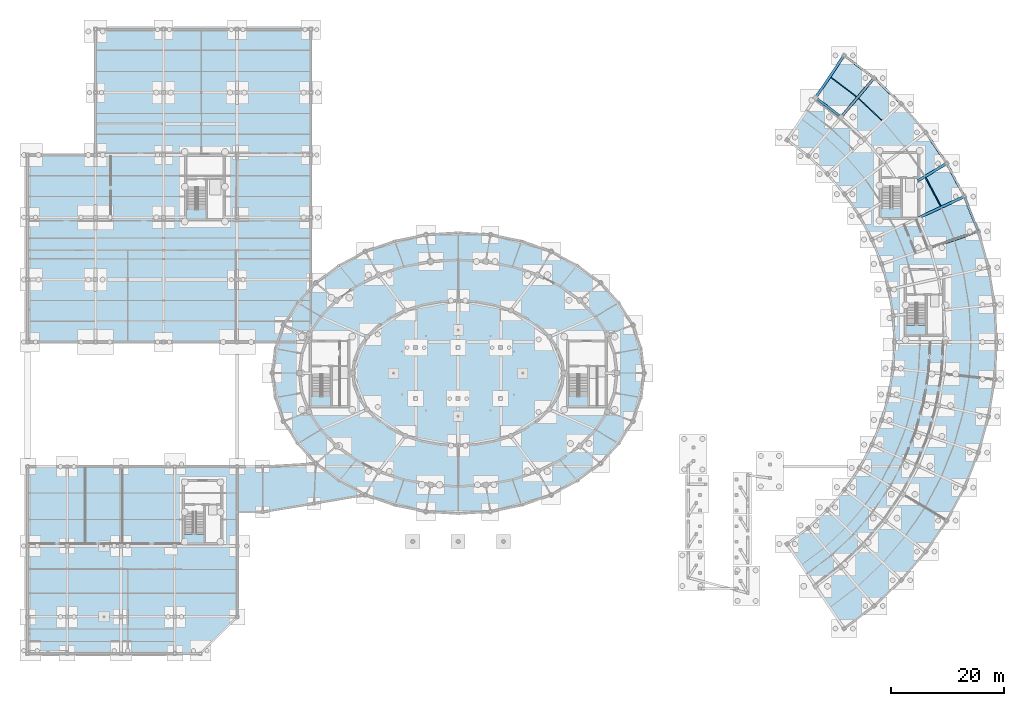
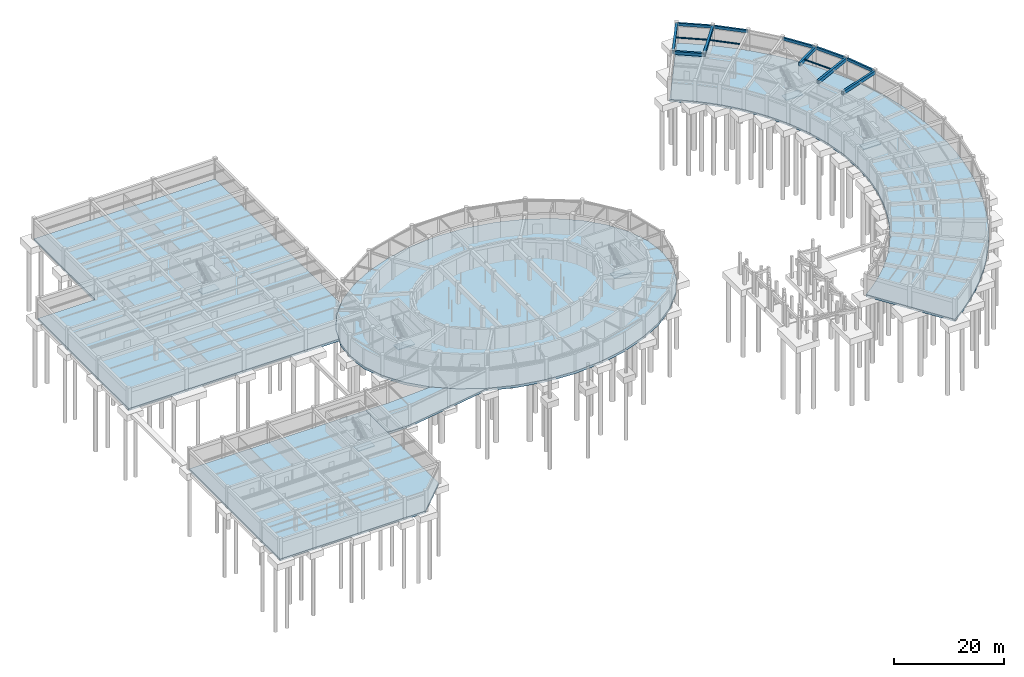
# One storey, part 17 of 42: 14 beams, 11 slabs, 6 elements without a shape of their own.
"""IFC4 building model written with IfcOpenShell, lengths in metres."""

from ifc_helpers import new_model, si_unit, direction, frame, origin, origin_2d, place, context, subcontext, project, spatial, polyline, rectangle, i_section, outline, extrude, material, layer, layer_set, material_profile, profile_set, type_object, element, aggregate, save


model = new_model("IFC4")

# Units and contexts
model_context = context("Model", 3, precision=1e-05, world=origin(), true_north=direction((0.0, 1.0)))
body_context = subcontext(model_context, "Body", "Model", "MODEL_VIEW")
ifc_project = project(units=[si_unit("LENGTHUNIT", "METRE"), si_unit("AREAUNIT", "SQUARE_METRE"), si_unit("VOLUMEUNIT", "CUBIC_METRE"), si_unit("PLANEANGLEUNIT", "RADIAN"), si_unit("MASSUNIT", "GRAM", prefix="KILO")], contexts=[model_context])

# Site, building, storey
site_placement = place(None, origin())
site = spatial("IfcSite", under=ifc_project, at=site_placement, CompositionType="ELEMENT")
building_placement = place(site_placement, origin())
building = spatial("IfcBuilding", under=site, at=building_placement, Name="Tarnveldt Headland Concert Hall", CompositionType="ELEMENT")
storey_placement = place(building_placement, frame((0.0, 0.0, -4.800048828125)))
storey = spatial("IfcBuildingStorey", under=building, at=storey_placement, Name="B1", CompositionType="ELEMENT", Elevation=-4.800048828125)

# Beams
ifc_material_1 = material(Name="Concrete C40/50", Category="concrete")
ifc_material_profile_1 = material_profile(ifc_material_1, rectangle(XDim=0.39990234375, YDim=0.64990234375, at=origin_2d()), Name="RC 400x650", Category="concrete")
ifc_profile_set_1 = profile_set([ifc_material_profile_1], Name="Concrete C40/50")
beam_type_1 = type_object("IfcBeamType", Name="CB-400x650", PredefinedType="BEAM", material=ifc_profile_set_1)
beam_1_placement = place(storey_placement, frame((151.031494140625, 99.740478515625, 4.175048828125), z_axis=(-0.79747936857, 0.603346216285, 0.0), x_axis=(-0.603346216285, -0.79747936857, 0.0)))
element("IfcBeam", 1, at=beam_1_placement, inside=storey, type_object=beam_type_1, Name="Framing beam B1-204", PredefinedType="BEAM", context=body_context, shape_type="SweptSolid", body=[
    extrude(rectangle(XDim=0.39990234375, YDim=0.64990234375, at=origin_2d()), origin(), (0.0, 0.0, 1.0), 5.524658203125),
])
ifc_material_profile_2 = material_profile(ifc_material_1, rectangle(XDim=0.449951171875, YDim=0.75, at=origin_2d()), Name="RC 450x750", Category="concrete")
ifc_profile_set_2 = profile_set([ifc_material_profile_2], Name="Concrete C40/50")
beam_type_2 = type_object("IfcBeamType", Name="CB-450x750", PredefinedType="BEAM", material=ifc_profile_set_2)
for number, where, z_axis, x_axis, name in (
    (2, (166.8212890625, 76.662353515625, 4.125), (0.947394358085, 0.320068633686, 0.0), (-0.320068633686, 0.947394358085, 0.0), "Framing beam B1-168"),
    (3, (164.724853515625, 81.909912109375, 4.125), (0.907125568287, 0.420860075749, 0.0), (-0.420860075749, 0.907125568287, 0.0), "Framing beam B1-175"),
):
    element("IfcBeam", number, at=place(storey_placement, frame(where, z_axis=z_axis, x_axis=x_axis)), inside=storey, type_object=beam_type_2, Name=name, PredefinedType="BEAM", context=body_context, shape_type="SweptSolid", body=[
        extrude(rectangle(XDim=0.449951171875, YDim=0.75, at=origin_2d()), origin(), (0.0, 0.0, 1.0), 8.880126953125),
    ])
beam_2_placement = place(storey_placement, frame((164.6201171875, 88.43701171875, 4.125), z_axis=(0.856147288877, 0.516731864461, 0.0), x_axis=(-0.516731864461, 0.856147288877, 0.0)))
element("IfcBeam", 4, at=beam_2_placement, inside=storey, type_object=beam_type_2, Name="Framing beam B1-181", PredefinedType="BEAM", context=body_context, shape_type="SweptSolid", body=[
    extrude(rectangle(XDim=0.449951171875, YDim=0.75, at=origin_2d()), origin(), (0.0, 0.0, 1.0), 5.904052734375),
])
beam_3_placement = place(storey_placement, frame((151.117919921875, 99.750244140625, 4.125), z_axis=(0.645759819996, 0.763540604604, 0.0), x_axis=(-0.763540604604, 0.645759819996, 0.0)))
element("IfcBeam", 5, at=beam_3_placement, inside=storey, type_object=beam_type_2, Name="Framing beam B1-202", PredefinedType="BEAM", context=body_context, shape_type="SweptSolid", body=[
    extrude(rectangle(XDim=0.449951171875, YDim=0.75, at=origin_2d()), origin(), (0.0, 0.0, 1.0), 8.880126953125),
])
beam_4_placement = place(storey_placement, frame((146.611572265625, 103.15966796875, 4.125), z_axis=(0.5591904504, 0.829039227167, 0.0), x_axis=(-0.829039227167, 0.5591904504, 0.0)))
element("IfcBeam", 6, at=beam_4_placement, inside=storey, type_object=beam_type_2, Name="Framing beam B1-209", PredefinedType="BEAM", context=body_context, shape_type="SweptSolid", body=[
    extrude(rectangle(XDim=0.449951171875, YDim=0.75, at=origin_2d()), origin(), (0.0, 0.0, 1.0), 8.8798828125),
])
ifc_material_2 = material(Name="Steel S355", Category="steel")
ifc_material_profile_3 = material_profile(ifc_material_2, i_section(OverallWidth=0.14990234375, OverallDepth=0.300048828125, WebThickness=0.007080078125, FlangeThickness=0.0107421875, FilletRadius=0.014892578125, at=origin_2d()), Name="IPE300", Category="steel")
ifc_profile_set_3 = profile_set([ifc_material_profile_3], Name="Steel S355")
beam_type_3 = type_object("IfcBeamType", Name="SB-IPE300", PredefinedType="JOIST", material=ifc_profile_set_3)
for number, where, z_axis, x_axis, name in (
    (7, (168.64697265625, 83.977294921875, 4.35009765625), (-0.469481870432, 0.882942112109, 0.0), (-0.882942112109, -0.469481870432, 0.0), "Framing beam B1-179"),
    (8, (158.2822265625, 99.086181640625, 4.35009765625), (-0.727385964821, 0.686228575754, 0.0), (-0.686228575754, -0.727385964821, 0.0), "Framing beam B1-200"),
    (9, (153.8056640625, 103.276123046875, 4.35009765625), (-0.797482363925, 0.603342257122, 0.0), (-0.603342257122, -0.797482363925, 0.0), "Framing beam B1-207"),
):
    element("IfcBeam", number, at=place(storey_placement, frame(where, z_axis=z_axis, x_axis=x_axis)), inside=storey, type_object=beam_type_3, Name=name, PredefinedType="JOIST", context=body_context, shape_type="SweptSolid", body=[
        extrude(i_section(OverallWidth=0.14990234375, OverallDepth=0.300048828125, WebThickness=0.007080078125, FlangeThickness=0.0107421875, FilletRadius=0.014892578125, at=origin_2d()), origin(), (0.0, 0.0, 1.0), 5.682861328125),
    ])
ifc_material_profile_4 = material_profile(ifc_material_1, rectangle(XDim=0.35009765625, YDim=0.60009765625, at=origin_2d()), Name="RC SPANDREL 350x600", Category="concrete")
ifc_profile_set_4 = profile_set([ifc_material_profile_4], Name="Concrete C40/50")
beam_type_4 = type_object("IfcBeamType", Name="SP-350x600", PredefinedType="SPANDREL", material=ifc_profile_set_4)
beam_5_placement = place(storey_placement, frame((175.268798828125, 79.57958984375, 4.199951171875), z_axis=(-0.370995678575, 0.928634592549, 0.0), x_axis=(-0.928634592549, -0.370995678575, 0.0)))
element("IfcBeam", 10, at=beam_5_placement, inside=storey, type_object=beam_type_4, Name="Framing beam B1-171", PredefinedType="SPANDREL", context=body_context, shape_type="SweptSolid", body=[
    extrude(rectangle(XDim=0.35009765625, YDim=0.60009765625, at=origin_2d()), origin(), (0.0, 0.0, 1.0), 6.5009765625),
])
beam_6_placement = place(storey_placement, frame((172.806396484375, 85.7255859375, 4.199951171875), z_axis=(-0.469455397466, 0.882956187922, 0.0), x_axis=(-0.882956187922, -0.469455397466, 0.0)))
element("IfcBeam", 11, at=beam_6_placement, inside=storey, type_object=beam_type_4, Name="Framing beam B1-177", PredefinedType="SPANDREL", context=body_context, shape_type="SweptSolid", body=[
    extrude(rectangle(XDim=0.35009765625, YDim=0.60009765625, at=origin_2d()), origin(), (0.0, 0.0, 1.0), 6.501220703125),
])
beam_7_placement = place(storey_placement, frame((169.6923828125, 91.568359375, 4.199951171875), z_axis=(-0.562406572897, 0.826860838813, 0.0), x_axis=(-0.826860838813, -0.562406572897, 0.0)))
element("IfcBeam", 12, at=beam_7_placement, inside=storey, type_object=beam_type_4, Name="Framing beam B1-184", PredefinedType="SPANDREL", context=body_context, shape_type="SweptSolid", body=[
    extrude(rectangle(XDim=0.35009765625, YDim=0.60009765625, at=origin_2d()), origin(), (0.0, 0.0, 1.0), 6.5009765625),
])
beam_8_placement = place(storey_placement, frame((161.66357421875, 102.07373046875, 4.199951171875), z_axis=(-0.727385871825, 0.686228674328, 0.0), x_axis=(-0.686228674328, -0.727385871825, 0.0)))
element("IfcBeam", 13, at=beam_8_placement, inside=storey, type_object=beam_type_4, Name="Framing beam B1-198", PredefinedType="SPANDREL", context=body_context, shape_type="SweptSolid", body=[
    extrude(rectangle(XDim=0.35009765625, YDim=0.60009765625, at=origin_2d()), origin(), (0.0, 0.0, 1.0), 6.50146484375),
])
beam_9_placement = place(storey_placement, frame((156.84326171875, 106.612548828125, 4.199951171875), z_axis=(-0.797469381904, 0.603359416041, 0.0), x_axis=(-0.603359416041, -0.797469381904, 0.0)))
element("IfcBeam", 14, at=beam_9_placement, inside=storey, type_object=beam_type_4, Name="Framing beam B1-205", PredefinedType="SPANDREL", context=body_context, shape_type="SweptSolid", body=[
    extrude(rectangle(XDim=0.35009765625, YDim=0.60009765625, at=origin_2d()), origin(), (0.0, 0.0, 1.0), 6.501220703125),
])

# Slabs
ifc_layer_1 = layer(ifc_material_1, 0.449951171875, Name="Concrete C40/50", Category="concrete")
ifc_layer_set_1 = layer_set([ifc_layer_1], Name="Concrete C40/50")
slab_type_1 = type_object("IfcSlabType", Name="SL-BS450", PredefinedType="BASESLAB", material=ifc_layer_set_1)
slab_1_placement = place(storey_placement, frame((0.0, 0.0, -0.449951171875)))
element("IfcSlab", 15, at=slab_1_placement, inside=storey, type_object=slab_type_1, Name="Chamber pavilion base slab B1", PredefinedType="BASESLAB", context=body_context, shape_type="SweptSolid", body=[
    extrude(outline(polyline([(7.5, 5.0), (38.0, 5.0), (44.5, 11.5), (44.5, 38.0), (7.5, 38.0), (7.5, 5.0)])), origin(), (0.0, 0.0, 1.0), 0.449951171875),
])
slab_2_placement = place(storey_placement, frame((0.0, 0.0, -0.449951171875)))
element("IfcSlab", 16, at=slab_2_placement, inside=storey, type_object=slab_type_1, Name="Acoustic link base slab B1", PredefinedType="BASESLAB", context=body_context, shape_type="SweptSolid", body=[
    extrude(outline(polyline([(44.5, 30.0), (49.0, 30.0), (67.10009765625, 33.022705078125), (62.41650390625, 35.502197265625), (58.373779296875, 38.558837890625), (49.0, 38.0), (44.5, 38.0), (44.5, 30.0)])), origin(), (0.0, 0.0, 1.0), 0.449951171875),
])
ifc_layer_2 = layer(ifc_material_1, 0.5, Name="Concrete C40/50", Category="concrete")
ifc_layer_set_2 = layer_set([ifc_layer_2], Name="Concrete C40/50")
slab_type_2 = type_object("IfcSlabType", Name="SL-BS500", PredefinedType="BASESLAB", material=ifc_layer_set_2)
slab_3_placement = place(storey_placement, frame((0.0, 0.0, -0.5)))
element("IfcSlab", 17, at=slab_3_placement, inside=storey, type_object=slab_type_2, Name="Crescent wing base slab B1", PredefinedType="BASESLAB", context=body_context, shape_type="SweptSolid", body=[
    extrude(outline(polyline([(151.61083984375, 9.4287109375), (154.30517578125, 11.3544921875), (156.89111328125, 13.423583984375), (159.360595703125, 15.630126953125), (161.70703125, 17.967529296875), (163.923095703125, 20.4287109375), (166.00244140625, 23.006591796875), (167.938720703125, 25.693359375), (169.726318359375, 28.481201171875), (171.35986328125, 31.3623046875), (172.834716796875, 34.327392578125), (174.146484375, 37.368408203125), (175.291259765625, 40.476318359375), (176.265625, 43.6416015625), (177.06689453125, 46.85498046875), (177.6923828125, 50.107177734375), (178.140625, 53.388427734375), (178.41015625, 56.689453125), (178.5, 60.0), (178.41015625, 63.310546875), (178.140625, 66.611572265625), (177.6923828125, 69.892822265625), (177.06689453125, 73.14501953125), (176.265625, 76.3583984375), (175.291259765625, 79.523681640625), (174.146484375, 82.631591796875), (172.834716796875, 85.672607421875), (171.35986328125, 88.6376953125), (169.726318359375, 91.518798828125), (167.938720703125, 94.306640625), (166.00244140625, 96.993408203125), (163.923095703125, 99.5712890625), (161.70703125, 102.032470703125), (159.360595703125, 104.369873046875), (156.89111328125, 106.576416015625), (154.30517578125, 108.6455078125), (151.61083984375, 110.5712890625), (141.54541015625, 95.648681640625), (143.444580078125, 94.291015625), (145.267333984375, 92.83251953125), (147.00830078125, 91.277099609375), (148.662353515625, 89.62939453125), (150.224609375, 87.89453125), (151.690185546875, 86.077392578125), (153.05517578125, 84.183349609375), (154.315185546875, 82.218017578125), (155.466796875, 80.187255859375), (156.50634765625, 78.096923828125), (157.43115234375, 75.953369140625), (158.238037109375, 73.7626953125), (158.9248046875, 71.531494140625), (159.48974609375, 69.26611328125), (159.9306640625, 66.9736328125), (160.24658203125, 64.66064453125), (160.4365234375, 62.333740234375), (160.5, 60.0), (160.4365234375, 57.666259765625), (160.24658203125, 55.33935546875), (159.9306640625, 53.0263671875), (159.48974609375, 50.73388671875), (158.9248046875, 48.468505859375), (158.238037109375, 46.2373046875), (157.43115234375, 44.046630859375), (156.50634765625, 41.903076171875), (155.466796875, 39.812744140625), (154.315185546875, 37.781982421875), (153.05517578125, 35.816650390625), (151.690185546875, 33.922607421875), (150.224609375, 32.10546875), (148.662353515625, 30.37060546875), (147.00830078125, 28.722900390625), (145.267333984375, 27.16748046875), (143.444580078125, 25.708984375), (141.54541015625, 24.351318359375), (151.61083984375, 9.4287109375)])), origin(), (0.0, 0.0, 1.0), 0.5),
])
slab_4_placement = place(storey_placement, frame((0.0, 0.0, -0.5)))
element("IfcSlab", 18, at=slab_4_placement, inside=storey, type_object=slab_type_2, Name="Backstage rehearsal wing base slab B1", PredefinedType="BASESLAB", context=body_context, shape_type="SweptSolid", body=[
    extrude(outline(polyline([(7.5, 60.0), (51.621337890625, 60.0), (52.677978515625, 62.982177734375), (55.094482421875, 66.89990234375), (57.5, 69.49755859375), (57.5, 115.199951171875), (19.5, 115.199951171875), (19.5, 93.0), (7.5, 93.0), (7.5, 60.0)])), origin(), (0.0, 0.0, 1.0), 0.5),
])
ifc_layer_3 = layer(ifc_material_1, 0.550048828125, Name="Concrete C40/50", Category="concrete")
ifc_layer_set_3 = layer_set([ifc_layer_3], Name="Concrete C40/50")
slab_type_3 = type_object("IfcSlabType", Name="SL-BS550", PredefinedType="BASESLAB", material=ifc_layer_set_3)
slab_5_placement = place(storey_placement, frame((0.0, 0.0, -0.550048828125)))
element("IfcSlab", 19, at=slab_5_placement, inside=storey, type_object=slab_type_3, Name="Drum and foyer plinth base slab B1", PredefinedType="BASESLAB", context=body_context, shape_type="SweptSolid", body=[
    extrude(outline(polyline([(116.300048828125, 54.5), (115.8017578125, 58.806396484375), (114.322021484375, 62.982177734375), (111.905517578125, 66.89990234375), (108.626220703125, 70.441162109375), (104.58349609375, 73.497802734375), (99.89990234375, 75.977294921875), (94.71826171875, 77.804443359375), (89.19580078125, 78.923095703125), (83.5, 79.300048828125), (77.80419921875, 78.923095703125), (72.28173828125, 77.804443359375), (67.10009765625, 75.977294921875), (62.41650390625, 73.497802734375), (58.373779296875, 70.441162109375), (55.094482421875, 66.89990234375), (52.677978515625, 62.982177734375), (51.1982421875, 58.806396484375), (50.699951171875, 54.5), (51.1982421875, 50.193603515625), (52.677978515625, 46.017822265625), (55.094482421875, 42.10009765625), (58.373779296875, 38.558837890625), (62.41650390625, 35.502197265625), (67.10009765625, 33.022705078125), (72.28173828125, 31.195556640625), (77.80419921875, 30.076904296875), (83.5, 29.699951171875), (89.19580078125, 30.076904296875), (94.71826171875, 31.195556640625), (99.89990234375, 33.022705078125), (104.58349609375, 35.502197265625), (108.626220703125, 38.558837890625), (111.905517578125, 42.10009765625), (114.322021484375, 46.017822265625), (115.8017578125, 50.193603515625), (116.300048828125, 54.5)])), origin(), (0.0, 0.0, 1.0), 0.550048828125),
])

# Stair, slab
stair_type_1 = type_object("IfcStairType", Name="ST-CORE480", PredefinedType="HALF_TURN_STAIR", material=ifc_material_1)
stair_1_placement = place(storey_placement, origin())
stair_1 = element("IfcStair", 20, at=stair_1_placement, inside=storey, type_object=stair_type_1, Name="Exit stair STR-C1-B1", PredefinedType="HALF_TURN_STAIR")
ifc_layer_4 = layer(ifc_material_1, 0.179931640625, Name="Concrete C40/50", Category="concrete")
ifc_layer_set_4 = layer_set([ifc_layer_4], Name="Concrete C40/50")
slab_type_4 = type_object("IfcSlabType", Name="SL-STLND180", PredefinedType="LANDING", material=ifc_layer_set_4)
slab_6_placement = place(storey_placement, frame((0.0, 0.0, 2.219970703125)))
slab_6 = element("IfcSlab", 21, at=slab_6_placement, type_object=slab_type_4, Name="Stair half-landing STR-C1-B1", PredefinedType="LANDING", context=body_context, shape_type="SweptSolid", body=[
    extrude(outline(polyline([(57.52001953125, 48.719970703125), (61.080078125, 48.719970703125), (61.080078125, 50.43994140625), (57.52001953125, 50.43994140625), (57.52001953125, 48.719970703125)])), origin(), (0.0, 0.0, 1.0), 0.18017578125),
])
aggregate(stair_1, [slab_6])

stair_2_placement = place(storey_placement, origin())
stair_2 = element("IfcStair", 22, at=stair_2_placement, inside=storey, type_object=stair_type_1, Name="Exit stair STR-C2-B1", PredefinedType="HALF_TURN_STAIR")
slab_7_placement = place(storey_placement, frame((0.0, 0.0, 2.219970703125)))
slab_7 = element("IfcSlab", 23, at=slab_7_placement, type_object=slab_type_4, Name="Stair half-landing STR-C2-B1", PredefinedType="LANDING", context=body_context, shape_type="SweptSolid", body=[
    extrude(outline(polyline([(102.919921875, 48.719970703125), (106.47998046875, 48.719970703125), (106.47998046875, 50.43994140625), (102.919921875, 50.43994140625), (102.919921875, 48.719970703125)])), origin(), (0.0, 0.0, 1.0), 0.18017578125),
])
aggregate(stair_2, [slab_7])

stair_3_placement = place(storey_placement, origin())
stair_3 = element("IfcStair", 24, at=stair_3_placement, inside=storey, type_object=stair_type_1, Name="Exit stair STR-C3-B1", PredefinedType="HALF_TURN_STAIR")
slab_8_placement = place(storey_placement, frame((0.0, 0.0, 2.219970703125)))
slab_8 = element("IfcSlab", 25, at=slab_8_placement, type_object=slab_type_4, Name="Stair half-landing STR-C3-B1", PredefinedType="LANDING", context=body_context, shape_type="SweptSolid", body=[
    extrude(outline(polyline([(158.1201171875, 81.919921875), (161.679931640625, 81.919921875), (161.679931640625, 83.639892578125), (158.1201171875, 83.639892578125), (158.1201171875, 81.919921875)])), origin(), (0.0, 0.0, 1.0), 0.18017578125),
])
aggregate(stair_3, [slab_8])

stair_4_placement = place(storey_placement, origin())
stair_4 = element("IfcStair", 26, at=stair_4_placement, inside=storey, type_object=stair_type_1, Name="Exit stair STR-C4-B1", PredefinedType="HALF_TURN_STAIR")
slab_9_placement = place(storey_placement, frame((0.0, 0.0, 2.219970703125)))
slab_9 = element("IfcSlab", 27, at=slab_9_placement, type_object=slab_type_4, Name="Stair half-landing STR-C4-B1", PredefinedType="LANDING", context=body_context, shape_type="SweptSolid", body=[
    extrude(outline(polyline([(162.52001953125, 61.320068359375), (166.080078125, 61.320068359375), (166.080078125, 63.0400390625), (162.52001953125, 63.0400390625), (162.52001953125, 61.320068359375)])), origin(), (0.0, 0.0, 1.0), 0.18017578125),
])
aggregate(stair_4, [slab_9])

stair_type_2 = type_object("IfcStairType", Name="ST-C5-480", PredefinedType="HALF_TURN_STAIR", material=ifc_material_1)
stair_5_placement = place(storey_placement, origin())
stair_5 = element("IfcStair", 28, at=stair_5_placement, inside=storey, type_object=stair_type_2, Name="Exit stair STR-C5-B1", PredefinedType="HALF_TURN_STAIR")
slab_10_placement = place(storey_placement, frame((0.0, 0.0, 2.219970703125)))
slab_10 = element("IfcSlab", 29, at=slab_10_placement, type_object=slab_type_4, Name="Stair half-landing STR-C5-B1", PredefinedType="LANDING", context=body_context, shape_type="SweptSolid", body=[
    extrude(outline(polyline([(35.1201171875, 24.52001953125), (38.679931640625, 24.52001953125), (38.679931640625, 26.159912109375), (35.1201171875, 26.159912109375), (35.1201171875, 24.52001953125)])), origin(), (0.0, 0.0, 1.0), 0.18017578125),
])
aggregate(stair_5, [slab_10])

stair_6_placement = place(storey_placement, origin())
stair_6 = element("IfcStair", 30, at=stair_6_placement, inside=storey, type_object=stair_type_1, Name="Exit stair STR-C6-B1", PredefinedType="HALF_TURN_STAIR")
slab_11_placement = place(storey_placement, frame((0.0, 0.0, 2.219970703125)))
slab_11 = element("IfcSlab", 31, at=slab_11_placement, type_object=slab_type_4, Name="Stair half-landing STR-C6-B1", PredefinedType="LANDING", context=body_context, shape_type="SweptSolid", body=[
    extrude(outline(polyline([(35.52001953125, 81.719970703125), (39.080078125, 81.719970703125), (39.080078125, 83.43994140625), (35.52001953125, 83.43994140625), (35.52001953125, 81.719970703125)])), origin(), (0.0, 0.0, 1.0), 0.18017578125),
])
aggregate(stair_6, [slab_11])

save(model, "model.ifc")
